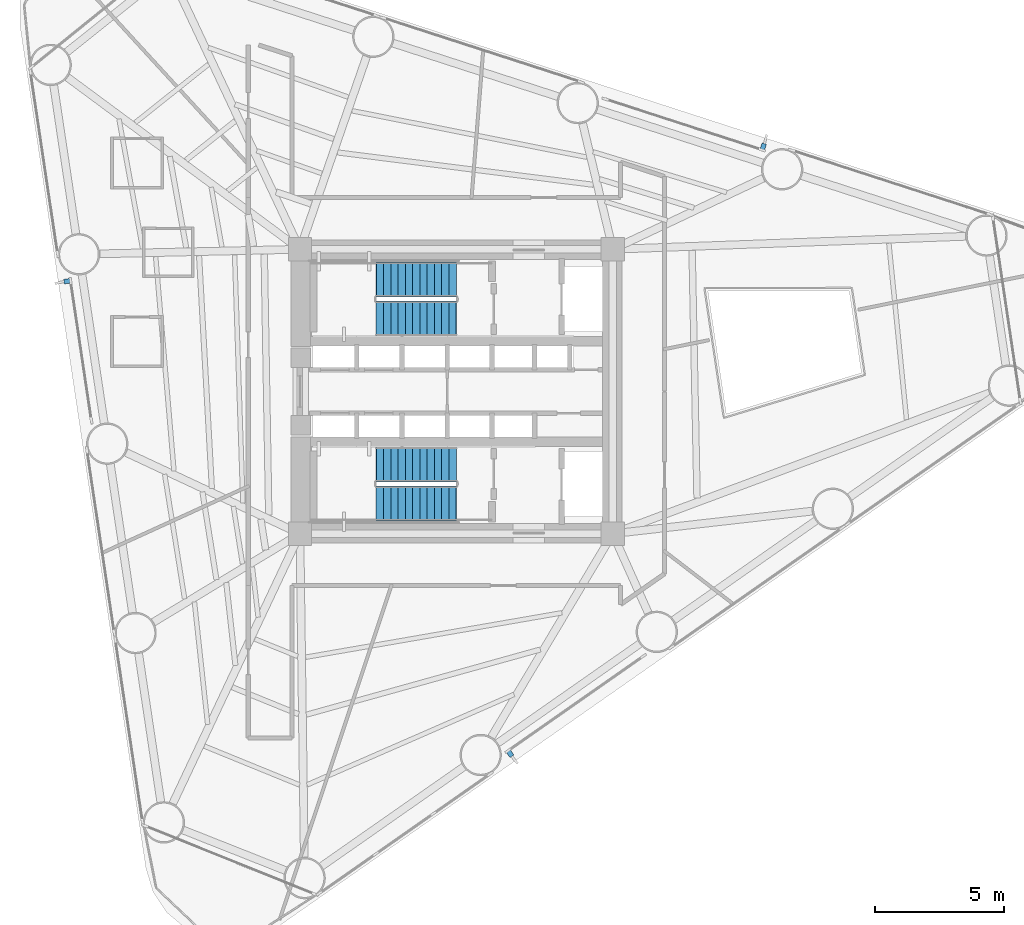
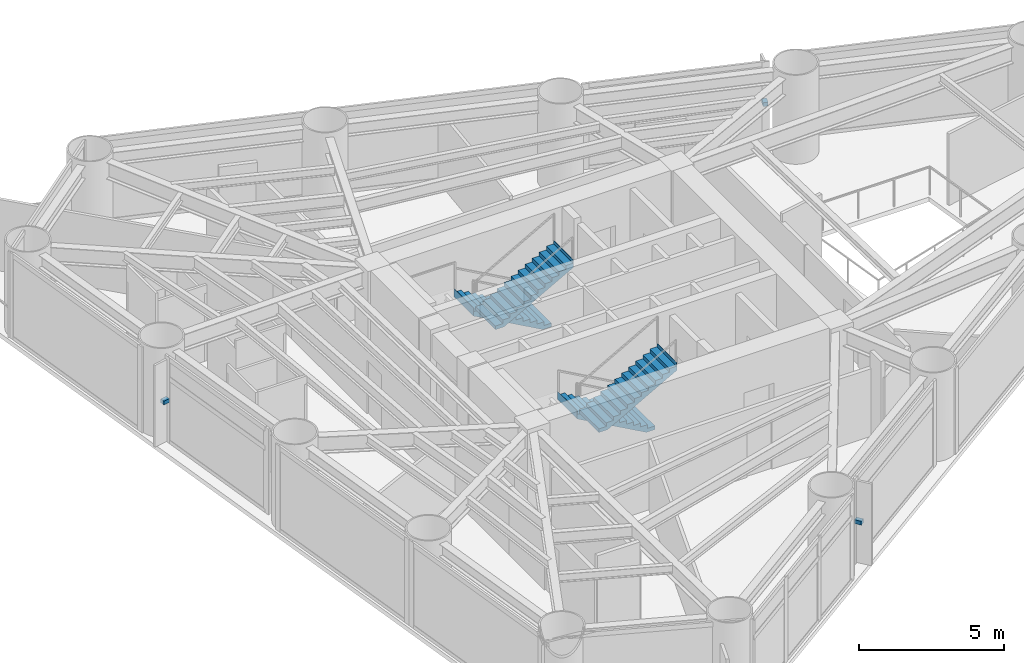
# One storey, part 7 of 9: 4 stair flights, 3 discrete accessories, 2 elements without a shape of their own.
"""IFC4 building model written with IfcOpenShell, lengths in metres."""

from ifc_helpers import new_model, si_unit, direction, frame, origin, origin_2d, place, context, subcontext, project, spatial, polyline, rectangle, outline, extrude, source, transform, mapped, material, type_object, element, aggregate, save


model = new_model("IFC4")

# Units and contexts
model_context = context("Model", 3, precision=1e-05, world=origin(), true_north=direction((0.0, 1.0)))
body_context = subcontext(model_context, "Body", "Model", "MODEL_VIEW")
ifc_project = project(units=[si_unit("LENGTHUNIT", "METRE"), si_unit("AREAUNIT", "SQUARE_METRE"), si_unit("VOLUMEUNIT", "CUBIC_METRE"), si_unit("PLANEANGLEUNIT", "RADIAN"), si_unit("MASSUNIT", "GRAM", prefix="KILO")], contexts=[model_context])

# Site, building, storey
site_placement = place(None, origin())
site = spatial("IfcSite", under=ifc_project, at=site_placement, CompositionType="ELEMENT")
building_placement = place(site_placement, origin())
building = spatial("IfcBuilding", under=site, at=building_placement, Name="Yunling Apex Tower", CompositionType="ELEMENT")
storey_placement = place(building_placement, frame((0.0, 0.0, 58.550048828125)))
storey = spatial("IfcBuildingStorey", under=building, at=storey_placement, Name="L15", CompositionType="ELEMENT", Elevation=58.550048828125)

# Stair, stair flights
ifc_material_1 = material(Name="Concrete C40", Category="concrete")
stair_type = type_object("IfcStairType", Name="ST-TWR-1", PredefinedType="HALF_TURN_STAIR", material=ifc_material_1)
stair_1_placement = place(storey_placement, origin())
stair_1 = element("IfcStair", 1, at=stair_1_placement, inside=storey, type_object=stair_type, Name="L15 North Core Smokeproof Exit Stair ST-1", PredefinedType="HALF_TURN_STAIR")
stair_flight_type = type_object("IfcStairFlightType", Name="SFL-TWR-1", PredefinedType="STRAIGHT", material=ifc_material_1)
stair_flight_1_placement = place(storey_placement, frame((-0.010009765625, 4.330078125, 0.0), z_axis=(0.0, 0.0, 1.0), x_axis=(-1.0, 0.0, 0.0)))
stair_flight_1 = element("IfcStairFlight", 2, at=stair_flight_1_placement, type_object=stair_flight_type, Name="ST-1 flight 1", NumberOfRisers=12, NumberOfTreads=11, PredefinedType="STRAIGHT", RiserHeight=0.15625, TreadLength=0.28, context=body_context, shape_type="SweptSolid", body=[
    extrude(outline(polyline([(-0.011962890625, 0.0), (-0.011962890625, 0.15625), (0.0, 0.15625), (0.280029296875, 0.15625), (0.280029296875, 0.3125), (0.56005859375, 0.3125), (0.56005859375, 0.46875), (0.840087890625, 0.46875), (0.840087890625, 0.625), (1.1201171875, 0.625), (1.1201171875, 0.78125), (1.39990234375, 0.78125), (1.39990234375, 0.9375), (1.679931640625, 0.9375), (1.679931640625, 1.09375), (1.9599609375, 1.09375), (1.9599609375, 1.25), (2.239990234375, 1.25), (2.239990234375, 1.40625), (2.52001953125, 1.40625), (2.52001953125, 1.5625), (2.800048828125, 1.5625), (2.800048828125, 1.71875), (3.080078125, 1.71875), (3.080078125, 1.875), (3.092041015625, 1.875), (3.092041015625, 1.53564453125), (0.328125, 0.0), (-0.011962890625, 0.0)])), frame((0.0, 0.68017578125, 0.0), z_axis=(0.0, -1.0, 0.0), x_axis=(1.0, 0.0, 0.0)), (0.0, 0.0, 1.0), 1.360107421875),
])
stair_flight_2_placement = place(storey_placement, frame((-3.090087890625, 2.820068359375, 1.875), z_axis=(0.0, 0.0, 1.0), x_axis=(1.0, 0.0, 0.0)))
stair_flight_2 = element("IfcStairFlight", 3, at=stair_flight_2_placement, type_object=stair_flight_type, Name="ST-1 flight 2", NumberOfRisers=12, NumberOfTreads=11, PredefinedType="STRAIGHT", RiserHeight=0.15625, TreadLength=0.28, context=body_context, shape_type="SweptSolid", body=[
    extrude(outline(polyline([(-0.011962890625, 0.0), (-0.011962890625, 0.15625), (0.0, 0.15625), (0.280029296875, 0.15625), (0.280029296875, 0.3125), (0.56005859375, 0.3125), (0.56005859375, 0.46875), (0.840087890625, 0.46875), (0.840087890625, 0.625), (1.1201171875, 0.625), (1.1201171875, 0.78125), (1.39990234375, 0.78125), (1.39990234375, 0.9375), (1.679931640625, 0.9375), (1.679931640625, 1.09375), (1.9599609375, 1.09375), (1.9599609375, 1.25), (2.239990234375, 1.25), (2.239990234375, 1.40625), (2.52001953125, 1.40625), (2.52001953125, 1.5625), (2.800048828125, 1.5625), (2.800048828125, 1.71875), (3.080078125, 1.71875), (3.080078125, 1.875), (3.092041015625, 1.875), (3.092041015625, 1.53564453125), (0.328125, 0.0), (-0.011962890625, 0.0)])), frame((0.0, 0.68017578125, 0.0), z_axis=(0.0, -1.0, 0.0), x_axis=(1.0, 0.0, 0.0)), (0.0, 0.0, 1.0), 1.360107421875),
])
aggregate(stair_1, [stair_flight_1, stair_flight_2])

stair_2_placement = place(storey_placement, origin())
stair_2 = element("IfcStair", 4, at=stair_2_placement, inside=storey, type_object=stair_type, Name="L15 South Core Smokeproof Exit Stair ST-2", PredefinedType="HALF_TURN_STAIR")
stair_flight_3_placement = place(storey_placement, frame((-0.010009765625, -2.820068359375, 0.0), z_axis=(0.0, 0.0, 1.0), x_axis=(-1.0, 0.0, 0.0)))
stair_flight_3 = element("IfcStairFlight", 5, at=stair_flight_3_placement, type_object=stair_flight_type, Name="ST-2 flight 1", NumberOfRisers=12, NumberOfTreads=11, PredefinedType="STRAIGHT", RiserHeight=0.15625, TreadLength=0.28, context=body_context, shape_type="SweptSolid", body=[
    extrude(outline(polyline([(-0.011962890625, 0.0), (-0.011962890625, 0.15625), (0.0, 0.15625), (0.280029296875, 0.15625), (0.280029296875, 0.3125), (0.56005859375, 0.3125), (0.56005859375, 0.46875), (0.840087890625, 0.46875), (0.840087890625, 0.625), (1.1201171875, 0.625), (1.1201171875, 0.78125), (1.39990234375, 0.78125), (1.39990234375, 0.9375), (1.679931640625, 0.9375), (1.679931640625, 1.09375), (1.9599609375, 1.09375), (1.9599609375, 1.25), (2.239990234375, 1.25), (2.239990234375, 1.40625), (2.52001953125, 1.40625), (2.52001953125, 1.5625), (2.800048828125, 1.5625), (2.800048828125, 1.71875), (3.080078125, 1.71875), (3.080078125, 1.875), (3.092041015625, 1.875), (3.092041015625, 1.53564453125), (0.328125, 0.0), (-0.011962890625, 0.0)])), frame((0.0, 0.68017578125, 0.0), z_axis=(0.0, -1.0, 0.0), x_axis=(1.0, 0.0, 0.0)), (0.0, 0.0, 1.0), 1.360107421875),
])
stair_flight_4_placement = place(storey_placement, frame((-3.090087890625, -4.330078125, 1.875), z_axis=(0.0, 0.0, 1.0), x_axis=(1.0, 0.0, 0.0)))
stair_flight_4 = element("IfcStairFlight", 6, at=stair_flight_4_placement, type_object=stair_flight_type, Name="ST-2 flight 2", NumberOfRisers=12, NumberOfTreads=11, PredefinedType="STRAIGHT", RiserHeight=0.15625, TreadLength=0.28, context=body_context, shape_type="SweptSolid", body=[
    extrude(outline(polyline([(-0.011962890625, 0.0), (-0.011962890625, 0.15625), (0.0, 0.15625), (0.280029296875, 0.15625), (0.280029296875, 0.3125), (0.56005859375, 0.3125), (0.56005859375, 0.46875), (0.840087890625, 0.46875), (0.840087890625, 0.625), (1.1201171875, 0.625), (1.1201171875, 0.78125), (1.39990234375, 0.78125), (1.39990234375, 0.9375), (1.679931640625, 0.9375), (1.679931640625, 1.09375), (1.9599609375, 1.09375), (1.9599609375, 1.25), (2.239990234375, 1.25), (2.239990234375, 1.40625), (2.52001953125, 1.40625), (2.52001953125, 1.5625), (2.800048828125, 1.5625), (2.800048828125, 1.71875), (3.080078125, 1.71875), (3.080078125, 1.875), (3.092041015625, 1.875), (3.092041015625, 1.53564453125), (0.328125, 0.0), (-0.011962890625, 0.0)])), frame((0.0, 0.68017578125, 0.0), z_axis=(0.0, -1.0, 0.0), x_axis=(1.0, 0.0, 0.0)), (0.0, 0.0, 1.0), 1.360107421875),
])
aggregate(stair_2, [stair_flight_3, stair_flight_4])

# Discrete accessories
ifc_material_2 = material(Name="Steel Q355B", Category="steel")
discrete_accessory_type = type_object("IfcDiscreteAccessoryType", Name="BK-FIN-1", PredefinedType="BRACKET", material=ifc_material_2)
shared_shape = source(origin(), body_context, "Body", "SweptSolid", [
    extrude(rectangle(XDim=0.179931640625, YDim=0.260009765625, at=origin_2d()), origin(), (0.0, 0.0, 1.0), 0.159912109375),
])
for number, where, z_axis, x_axis, name in (
    (7, (2.07421875, -13.998291015625, 1.70263671875), (0.0, 0.0, 1.0), (0.819552276527, 0.573004420611, 0.0), "CW-L15-F1-B2-BRK-01-1"),
    (8, (11.86865234375, 9.462158203125, 1.70263671875), (0.0, 0.0, 1.0), (-0.951272019071, 0.30835295642, 0.0), "CW-L15-F2-B2-BRK-01-1"),
    (9, (-15.0458984375, 4.265380859375, 1.70263671875), (0.0, 0.0, 1.0), (0.14780941113, -0.989015863362, 0.0), "CW-L15-F3-B2-BRK-01-1"),
):
    element("IfcDiscreteAccessory", number, at=place(storey_placement, frame(where, z_axis=z_axis, x_axis=x_axis)), inside=storey, type_object=discrete_accessory_type, Name=name, PredefinedType="BRACKET", context=body_context, shape_type="MappedRepresentation", body=[
        mapped(shared_shape, transform((0.0, 0.0, 0.0), scale=1.0)),
    ])

save(model, "model.ifc")
